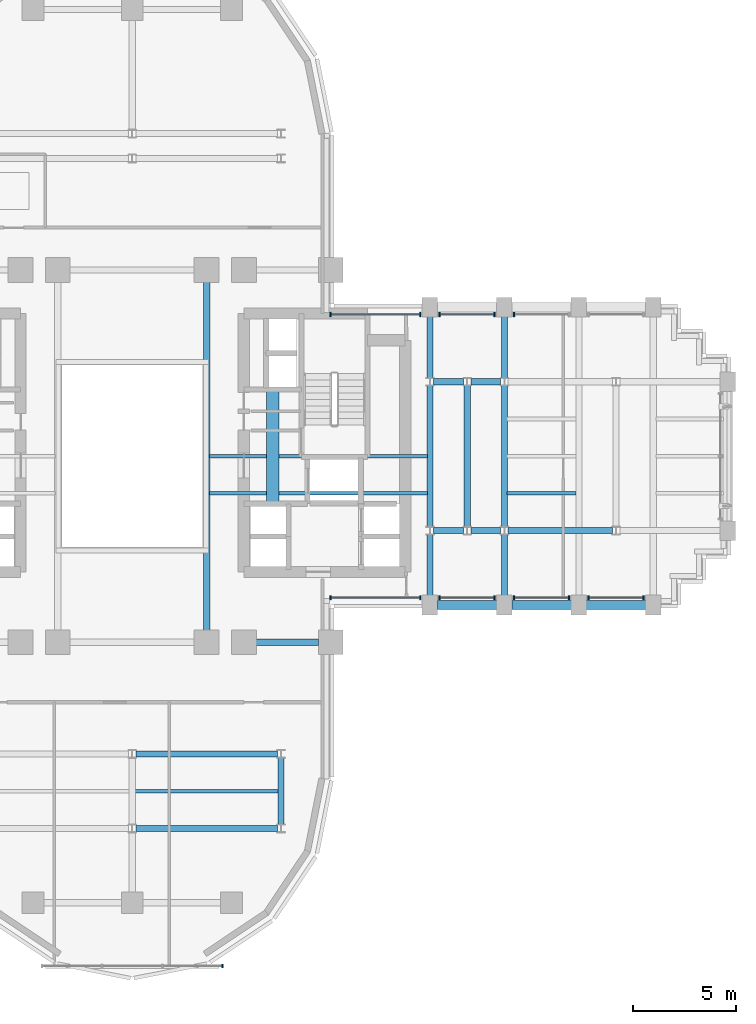
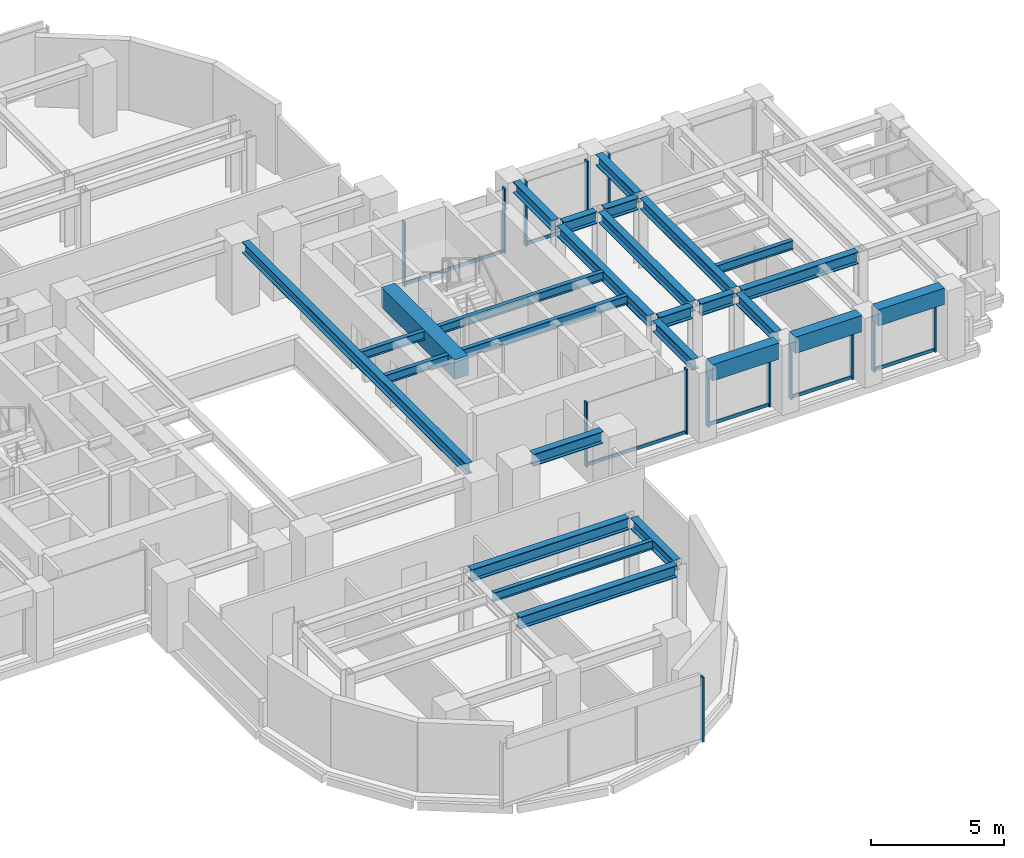
# One storey, part 5 of 16: 25 beams, 20 members, 8 elements without a shape of their own.
"""IFC4 building model written with IfcOpenShell, lengths in metres."""

from ifc_helpers import new_model, si_unit, direction, frame, origin, origin_2d, place, context, subcontext, project, spatial, rectangle, i_section, extrude, source, transform, mapped, material, material_profile, profile_set, type_object, element, aggregate, save


model = new_model("IFC4")

# Units and contexts
model_context = context("Model", 3, precision=1e-05, world=origin(), true_north=direction((0.0, 1.0)))
body_context = subcontext(model_context, "Body", "Model", "MODEL_VIEW")
ifc_project = project(units=[si_unit("LENGTHUNIT", "METRE"), si_unit("AREAUNIT", "SQUARE_METRE"), si_unit("VOLUMEUNIT", "CUBIC_METRE"), si_unit("PLANEANGLEUNIT", "RADIAN"), si_unit("MASSUNIT", "GRAM", prefix="KILO")], contexts=[model_context])

# Site, building, storey
site_placement = place(None, origin())
site = spatial("IfcSite", under=ifc_project, at=site_placement, CompositionType="ELEMENT")
building_placement = place(site_placement, origin())
building = spatial("IfcBuilding", under=site, at=building_placement, Name="Keilestroom Media Tower", CompositionType="ELEMENT")
storey_placement = place(building_placement, frame((0.0, 0.0, 51.0)))
storey = spatial("IfcBuildingStorey", under=building, at=storey_placement, Name="L12", CompositionType="ELEMENT", Elevation=51.0)

# Beams
ifc_material_1 = material(Name="Concrete C70/85", Category="concrete")
ifc_material_profile_1 = material_profile(ifc_material_1, rectangle(XDim=0.60009765625, YDim=0.89990234375, at=origin_2d()), Name="RC 600x900")
ifc_profile_set_1 = profile_set([ifc_material_profile_1], Name="Concrete C70/85")
beam_type_1 = type_object("IfcBeamType", Name="Core-Coupling-Lintel-Beam-RC-600x900", PredefinedType="LINTEL", material=ifc_profile_set_1)
shared_shape_1 = source(origin(), body_context, "Body", "SweptSolid", [
    extrude(rectangle(XDim=0.60009765625, YDim=0.89990234375, at=origin_2d()), origin(), (0.0, 0.0, 1.0), 5.52001953125),
])
beam_1_placement = place(storey_placement, frame((6.800048828125, -2.300048828125, 2.75), z_axis=(0.0, 1.0, 0.0), x_axis=(-1.0, 0.0, 0.0)))
element("IfcBeam", 1, at=beam_1_placement, inside=storey, type_object=beam_type_1, Name="L12 Beam CLB-1 CLB-L12-E", PredefinedType="LINTEL", context=body_context, shape_type="MappedRepresentation", body=[
    mapped(shared_shape_1, transform((0.0, 0.0, 0.0), x_axis=(1.0, 0.0, 0.0), y_axis=(0.0, 1.0, 0.0), z_axis=(0.0, 0.0, 1.0), scale=1.0)),
])
ifc_material_2 = material(Name="Steel S355", Category="steel")
ifc_material_profile_2 = material_profile(ifc_material_2, i_section(OverallWidth=0.300048828125, OverallDepth=0.550048828125, WebThickness=0.012939453125, FlangeThickness=0.029052734375, at=origin_2d()), Name="HEB 550")
ifc_profile_set_2 = profile_set([ifc_material_profile_2], Name="Steel S355")
beam_type_2 = type_object("IfcBeamType", Name="Primary-Structural-Girder-HEB-550", PredefinedType="BEAM", material=ifc_profile_set_2)
shared_shape_2 = source(origin(), body_context, "Body", "SweptSolid", [
    extrude(i_section(OverallWidth=0.300048828125, OverallDepth=0.550048828125, WebThickness=0.012939453125, FlangeThickness=0.029052734375, at=origin_2d()), origin(), (0.0, 0.0, 1.0), 6.836181640625),
])
for number, where, z_axis, x_axis, name in (
    (2, (0.181884765625, -18.0, 2.925048828125), (1.0, 0.0, 0.0), (0.0, 1.0, 0.0), "L12 Beam BG-5 BM-L12-EW-004"),
    (3, (0.181884765625, -14.39990234375, 2.925048828125), (1.0, 0.0, 0.0), (0.0, 1.0, 0.0), "L12 Beam BG-5 BM-L12-EW-006"),
):
    element("IfcBeam", number, at=place(storey_placement, frame(where, z_axis=z_axis, x_axis=x_axis)), inside=storey, type_object=beam_type_2, Name=name, PredefinedType="BEAM", context=body_context, shape_type="MappedRepresentation", body=[
        mapped(shared_shape_2, transform((0.0, 0.0, 0.0), x_axis=(1.0, 0.0, 0.0), y_axis=(0.0, 1.0, 0.0), z_axis=(0.0, 0.0, 1.0), scale=1.0)),
    ])
shared_shape_3 = source(origin(), body_context, "Body", "SweptSolid", [
    extrude(i_section(OverallWidth=0.300048828125, OverallDepth=0.550048828125, WebThickness=0.012939453125, FlangeThickness=0.029052734375, at=origin_2d()), origin(), (0.0, 0.0, 1.0), 3.0400390625),
])
beam_2_placement = place(storey_placement, frame((5.97998046875, -9.0, 2.925048828125), z_axis=(1.0, 0.0, 0.0), x_axis=(0.0, 1.0, 0.0)))
element("IfcBeam", 4, at=beam_2_placement, inside=storey, type_object=beam_type_2, Name="L12 Beam BG-5 BM-L12-EW-011", PredefinedType="BEAM", context=body_context, shape_type="MappedRepresentation", body=[
    mapped(shared_shape_3, transform((0.0, 0.0, 0.0), x_axis=(1.0, 0.0, 0.0), y_axis=(0.0, 1.0, 0.0), z_axis=(0.0, 0.0, 1.0), scale=1.0)),
])
ifc_material_3 = material(Name="Precast concrete C40/50", Category="concrete")
ifc_material_profile_3 = material_profile(ifc_material_3, rectangle(XDim=0.449951171875, YDim=0.75, at=origin_2d()), Name="PC 450x750")
ifc_profile_set_3 = profile_set([ifc_material_profile_3], Name="Precast concrete C40/50")
beam_type_3 = type_object("IfcBeamType", Name="Perimeter-Spandrel-Beam-PC-450x750", PredefinedType="SPANDREL", material=ifc_profile_set_3)
shared_shape_4 = source(origin(), body_context, "Body", "SweptSolid", [
    extrude(rectangle(XDim=0.449951171875, YDim=0.75, at=origin_2d()), origin(), (0.0, 0.0, 1.0), 2.889892578125),
])
beam_3_placement = place(storey_placement, frame((21.955078125, -7.199951171875, 2.824951171875), z_axis=(1.0, 0.0, 0.0), x_axis=(0.0, 1.0, 0.0)))
element("IfcBeam", 5, at=beam_3_placement, inside=storey, type_object=beam_type_3, Name="L12 Beam SPB-1 BM-L12-EW-017", PredefinedType="SPANDREL", context=body_context, shape_type="MappedRepresentation", body=[
    mapped(shared_shape_4, transform((0.0, 0.0, 0.0), x_axis=(1.0, 0.0, 0.0), y_axis=(0.0, 1.0, 0.0), z_axis=(0.0, 0.0, 1.0), scale=1.0)),
])
shared_shape_5 = source(origin(), body_context, "Body", "SweptSolid", [
    extrude(rectangle(XDim=0.449951171875, YDim=0.75, at=origin_2d()), origin(), (0.0, 0.0, 1.0), 2.89013671875),
])
for number, where, z_axis, x_axis, name in (
    (6, (14.7548828125, -7.199951171875, 2.824951171875), (1.0, 0.0, 0.0), (0.0, 1.0, 0.0), "L12 Beam SPB-1 BM-L12-EW-015"),
    (7, (18.35498046875, -7.199951171875, 2.824951171875), (1.0, 0.0, 0.0), (0.0, 1.0, 0.0), "L12 Beam SPB-1 BM-L12-EW-016"),
):
    element("IfcBeam", number, at=place(storey_placement, frame(where, z_axis=z_axis, x_axis=x_axis)), inside=storey, type_object=beam_type_3, Name=name, PredefinedType="SPANDREL", context=body_context, shape_type="MappedRepresentation", body=[
        mapped(shared_shape_5, transform((0.0, 0.0, 0.0), x_axis=(1.0, 0.0, 0.0), y_axis=(0.0, 1.0, 0.0), z_axis=(0.0, 0.0, 1.0), scale=1.0)),
    ])
shared_shape_6 = source(origin(), body_context, "Body", "SweptSolid", [
    extrude(i_section(OverallWidth=0.300048828125, OverallDepth=0.550048828125, WebThickness=0.012939453125, FlangeThickness=0.029052734375, at=origin_2d()), origin(), (0.0, 0.0, 1.0), 5.0361328125),
])
beam_4_placement = place(storey_placement, frame((18.181884765625, -3.60009765625, 2.925048828125), z_axis=(1.0, 0.0, 0.0), x_axis=(0.0, 1.0, 0.0)))
element("IfcBeam", 8, at=beam_4_placement, inside=storey, type_object=beam_type_2, Name="L12 Beam BG-5 BM-L12-EW-024", PredefinedType="BEAM", context=body_context, shape_type="MappedRepresentation", body=[
    mapped(shared_shape_6, transform((0.0, 0.0, 0.0), x_axis=(1.0, 0.0, 0.0), y_axis=(0.0, 1.0, 0.0), z_axis=(0.0, 0.0, 1.0), scale=1.0)),
])
shared_shape_7 = source(origin(), body_context, "Body", "SweptSolid", [
    extrude(i_section(OverallWidth=0.300048828125, OverallDepth=0.550048828125, WebThickness=0.012939453125, FlangeThickness=0.029052734375, at=origin_2d()), origin(), (0.0, 0.0, 1.0), 1.43603515625),
])
for number, where, z_axis, x_axis, name in (
    (9, (14.58203125, -3.60009765625, 2.925048828125), (1.0, 0.0, 0.0), (0.0, 1.0, 0.0), "L12 Beam BG-5 BM-L12-EW-022"),
    (10, (16.382080078125, -3.60009765625, 2.925048828125), (1.0, 0.0, 0.0), (0.0, 1.0, 0.0), "L12 Beam BG-5 BM-L12-EW-023"),
    (11, (14.58203125, 3.60009765625, 2.925048828125), (1.0, 0.0, 0.0), (0.0, 1.0, 0.0), "L12 Beam BG-5 BM-L12-EW-030"),
    (12, (16.382080078125, 3.60009765625, 2.925048828125), (1.0, 0.0, 0.0), (0.0, 1.0, 0.0), "L12 Beam BG-5 BM-L12-EW-031"),
):
    element("IfcBeam", number, at=place(storey_placement, frame(where, z_axis=z_axis, x_axis=x_axis)), inside=storey, type_object=beam_type_2, Name=name, PredefinedType="BEAM", context=body_context, shape_type="MappedRepresentation", body=[
        mapped(shared_shape_7, transform((0.0, 0.0, 0.0), x_axis=(1.0, 0.0, 0.0), y_axis=(0.0, 1.0, 0.0), z_axis=(0.0, 0.0, 1.0), scale=1.0)),
    ])
ifc_material_profile_4 = material_profile(ifc_material_2, i_section(OverallWidth=0.300048828125, OverallDepth=0.5, WebThickness=0.012451171875, FlangeThickness=0.028076171875, at=origin_2d()), Name="HEB 500")
ifc_profile_set_4 = profile_set([ifc_material_profile_4], Name="Steel S355")
beam_type_4 = type_object("IfcBeamType", Name="Primary-Structural-Girder-HEB-500", PredefinedType="BEAM", material=ifc_profile_set_4)
shared_shape_8 = source(origin(), body_context, "Body", "SweptSolid", [
    extrude(i_section(OverallWidth=0.300048828125, OverallDepth=0.5, WebThickness=0.012451171875, FlangeThickness=0.028076171875, at=origin_2d()), origin(), (0.0, 0.0, 1.0), 6.8330078125),
])
for number, where, z_axis, x_axis, name in (
    (13, (14.39990234375, -3.41650390625, 2.949951171875), (0.0, 1.0, 0.0), (-1.0, 0.0, 0.0), "L12 Beam BG-6 BM-L12-NS-077"),
    (14, (16.199951171875, -3.41650390625, 2.949951171875), (0.0, 1.0, 0.0), (-1.0, 0.0, 0.0), "L12 Beam BG-6 BM-L12-NS-079"),
    (15, (18.0, -3.41650390625, 2.949951171875), (0.0, 1.0, 0.0), (-1.0, 0.0, 0.0), "L12 Beam BG-6 BM-L12-NS-081"),
):
    element("IfcBeam", number, at=place(storey_placement, frame(where, z_axis=z_axis, x_axis=x_axis)), inside=storey, type_object=beam_type_4, Name=name, PredefinedType="BEAM", context=body_context, shape_type="MappedRepresentation", body=[
        mapped(shared_shape_8, transform((0.0, 0.0, 0.0), x_axis=(1.0, 0.0, 0.0), y_axis=(0.0, 1.0, 0.0), z_axis=(0.0, 0.0, 1.0), scale=1.0)),
    ])
shared_shape_9 = source(origin(), body_context, "Body", "SweptSolid", [
    extrude(i_section(OverallWidth=0.300048828125, OverallDepth=0.5, WebThickness=0.012451171875, FlangeThickness=0.028076171875, at=origin_2d()), origin(), (0.0, 0.0, 1.0), 2.961669921875),
])
for number, where, z_axis, x_axis, name in (
    (16, (14.39990234375, -6.7451171875, 2.949951171875), (0.0, 1.0, 0.0), (-1.0, 0.0, 0.0), "L12 Beam BG-6 BM-L12-NS-076"),
    (17, (14.39990234375, 3.783447265625, 2.949951171875), (0.0, 1.0, 0.0), (-1.0, 0.0, 0.0), "L12 Beam BG-6 BM-L12-NS-078"),
    (18, (18.0, -6.7451171875, 2.949951171875), (0.0, 1.0, 0.0), (-1.0, 0.0, 0.0), "L12 Beam BG-6 BM-L12-NS-080"),
    (19, (18.0, 3.783447265625, 2.949951171875), (0.0, 1.0, 0.0), (-1.0, 0.0, 0.0), "L12 Beam BG-6 BM-L12-NS-082"),
):
    element("IfcBeam", number, at=place(storey_placement, frame(where, z_axis=z_axis, x_axis=x_axis)), inside=storey, type_object=beam_type_4, Name=name, PredefinedType="BEAM", context=body_context, shape_type="MappedRepresentation", body=[
        mapped(shared_shape_9, transform((0.0, 0.0, 0.0), x_axis=(1.0, 0.0, 0.0), y_axis=(0.0, 1.0, 0.0), z_axis=(0.0, 0.0, 1.0), scale=1.0)),
    ])
shared_shape_10 = source(origin(), body_context, "Body", "SweptSolid", [
    extrude(i_section(OverallWidth=0.300048828125, OverallDepth=0.5, WebThickness=0.012451171875, FlangeThickness=0.028076171875, at=origin_2d()), origin(), (0.0, 0.0, 1.0), 3.23291015625),
])
beam_5_placement = place(storey_placement, frame((7.199951171875, -17.81640625, 2.949951171875), z_axis=(0.0, 1.0, 0.0), x_axis=(-1.0, 0.0, 0.0)))
element("IfcBeam", 20, at=beam_5_placement, inside=storey, type_object=beam_type_4, Name="L12 Beam BG-6 BM-L12-NS-073", PredefinedType="BEAM", context=body_context, shape_type="MappedRepresentation", body=[
    mapped(shared_shape_10, transform((0.0, 0.0, 0.0), x_axis=(1.0, 0.0, 0.0), y_axis=(0.0, 1.0, 0.0), z_axis=(0.0, 0.0, 1.0), scale=1.0)),
])
shared_shape_11 = source(origin(), body_context, "Body", "SweptSolid", [
    extrude(i_section(OverallWidth=0.300048828125, OverallDepth=0.5, WebThickness=0.012451171875, FlangeThickness=0.028076171875, at=origin_2d()), origin(), (0.0, 0.0, 1.0), 16.83984375),
])
beam_6_placement = place(storey_placement, frame((3.60009765625, -8.419921875, 2.949951171875), z_axis=(0.0, 1.0, 0.0), x_axis=(-1.0, 0.0, 0.0)))
element("IfcBeam", 21, at=beam_6_placement, inside=storey, type_object=beam_type_4, Name="L12 Beam BG-6 BM-L12-NS-071", PredefinedType="BEAM", context=body_context, shape_type="MappedRepresentation", body=[
    mapped(shared_shape_11, transform((0.0, 0.0, 0.0), x_axis=(1.0, 0.0, 0.0), y_axis=(0.0, 1.0, 0.0), z_axis=(0.0, 0.0, 1.0), scale=1.0)),
])
ifc_material_profile_5 = material_profile(ifc_material_2, i_section(OverallWidth=0.179931640625, OverallDepth=0.39990234375, WebThickness=0.008544921875, FlangeThickness=0.013427734375, at=origin_2d()), Name="IPE 400")
ifc_profile_set_5 = profile_set([ifc_material_profile_5], Name="Steel S355")
beam_type_5 = type_object("IfcBeamType", Name="Secondary-Floor-Joist-IPE-400", PredefinedType="JOIST", material=ifc_profile_set_5)
shared_shape_12 = source(origin(), body_context, "Body", "SweptSolid", [
    extrude(i_section(OverallWidth=0.179931640625, OverallDepth=0.39990234375, WebThickness=0.008544921875, FlangeThickness=0.013427734375, at=origin_2d()), origin(), (0.0, 0.0, 1.0), 6.940185546875),
])
beam_7_placement = place(storey_placement, frame((0.1298828125, -16.199951171875, 3.0), z_axis=(1.0, 0.0, 0.0), x_axis=(0.0, 1.0, 0.0)))
element("IfcBeam", 22, at=beam_7_placement, inside=storey, type_object=beam_type_5, Name="L12 Beam BJ-4 JST-L12-088", PredefinedType="JOIST", context=body_context, shape_type="MappedRepresentation", body=[
    mapped(shared_shape_12, transform((0.0, 0.0, 0.0), x_axis=(1.0, 0.0, 0.0), y_axis=(0.0, 1.0, 0.0), z_axis=(0.0, 0.0, 1.0), scale=1.0)),
])
shared_shape_13 = source(origin(), body_context, "Body", "SweptSolid", [
    extrude(i_section(OverallWidth=0.179931640625, OverallDepth=0.39990234375, WebThickness=0.008544921875, FlangeThickness=0.013427734375, at=origin_2d()), origin(), (0.0, 0.0, 1.0), 3.340087890625),
])
beam_8_placement = place(storey_placement, frame((18.1298828125, -1.800048828125, 3.0), z_axis=(1.0, 0.0, 0.0), x_axis=(0.0, 1.0, 0.0)))
element("IfcBeam", 23, at=beam_8_placement, inside=storey, type_object=beam_type_5, Name="L12 Beam BJ-4 JST-L12-094", PredefinedType="JOIST", context=body_context, shape_type="MappedRepresentation", body=[
    mapped(shared_shape_13, transform((0.0, 0.0, 0.0), x_axis=(1.0, 0.0, 0.0), y_axis=(0.0, 1.0, 0.0), z_axis=(0.0, 0.0, 1.0), scale=1.0)),
])
shared_shape_14 = source(origin(), body_context, "Body", "SweptSolid", [
    extrude(i_section(OverallWidth=0.179931640625, OverallDepth=0.39990234375, WebThickness=0.008544921875, FlangeThickness=0.013427734375, at=origin_2d()), origin(), (0.0, 0.0, 1.0), 10.5400390625),
])
for number, where, z_axis, x_axis, name in (
    (24, (3.72998046875, -1.800048828125, 3.0), (1.0, 0.0, 0.0), (0.0, 1.0, 0.0), "L12 Beam BJ-4 JST-L12-093"),
    (25, (3.72998046875, 0.0, 3.0), (1.0, 0.0, 0.0), (0.0, 1.0, 0.0), "L12 Beam BJ-4 JST-L12-100"),
):
    element("IfcBeam", number, at=place(storey_placement, frame(where, z_axis=z_axis, x_axis=x_axis)), inside=storey, type_object=beam_type_5, Name=name, PredefinedType="JOIST", context=body_context, shape_type="MappedRepresentation", body=[
        mapped(shared_shape_14, transform((0.0, 0.0, 0.0), x_axis=(1.0, 0.0, 0.0), y_axis=(0.0, 1.0, 0.0), z_axis=(0.0, 0.0, 1.0), scale=1.0)),
    ])

# Curtain wall, members
ifc_material_4 = material(Name="Anodised Aluminium Alloy", Category="aluminium")
curtain_wall_type_1 = type_object("IfcCurtainWallType", Name="Unitised-Curtain-Wall-CW-1", PredefinedType="NOTDEFINED", material=ifc_material_4)
curtain_wall_1_placement = place(storey_placement, origin())
curtain_wall_1 = element("IfcCurtainWall", 26, at=curtain_wall_1_placement, inside=storey, type_object=curtain_wall_type_1, Name="L12 Curtain Wall CW-1 CW-L12-NE-1", PredefinedType="NOTDEFINED")
ifc_material_profile_6 = material_profile(ifc_material_4, rectangle(XDim=0.070068359375, YDim=0.199951171875, at=origin_2d()), Name="ALU MULLION 70x200")
ifc_profile_set_6 = profile_set([ifc_material_profile_6], Name="Anodised Aluminium Alloy")
member_type_1 = type_object("IfcMemberType", Name="Curtain-Wall-Mullion-CW-1", PredefinedType="MULLION", material=ifc_profile_set_6)
shared_shape_15 = source(origin(), body_context, "Body", "SweptSolid", [
    extrude(rectangle(XDim=0.070068359375, YDim=0.199951171875, at=origin_2d()), origin(), (0.0, 0.0, 1.0), 2.97998046875),
])
member_1_placement = place(storey_placement, frame((9.5849609375, 6.85009765625, 0.0), z_axis=(0.0, 0.0, 1.0), x_axis=(1.0, 0.0, 0.0)))
member_1 = element("IfcMember", 27, at=member_1_placement, type_object=member_type_1, Name="CW-1 Mullion 00", PredefinedType="MULLION", context=body_context, shape_type="MappedRepresentation", body=[
    mapped(shared_shape_15, transform((0.0, 0.0, 0.0), x_axis=(1.0, 0.0, 0.0), y_axis=(0.0, 1.0, 0.0), z_axis=(0.0, 0.0, 1.0), scale=1.0)),
])
member_2_placement = place(storey_placement, frame((13.929931640625, 6.85009765625, 0.0), z_axis=(0.0, 0.0, 1.0), x_axis=(1.0, 0.0, 0.0)))
member_2 = element("IfcMember", 28, at=member_2_placement, type_object=member_type_1, Name="CW-1 Mullion 01", PredefinedType="MULLION", context=body_context, shape_type="MappedRepresentation", body=[
    mapped(shared_shape_15, transform((0.0, 0.0, 0.0), x_axis=(1.0, 0.0, 0.0), y_axis=(0.0, 1.0, 0.0), z_axis=(0.0, 0.0, 1.0), scale=1.0)),
])

curtain_wall_2_placement = place(storey_placement, origin())
curtain_wall_2 = element("IfcCurtainWall", 29, at=curtain_wall_2_placement, inside=storey, type_object=curtain_wall_type_1, Name="L12 Curtain Wall CW-1 CW-L12-NE-2", PredefinedType="NOTDEFINED")
member_3_placement = place(storey_placement, frame((14.8701171875, 6.85009765625, 0.0), z_axis=(0.0, 0.0, 1.0), x_axis=(1.0, 0.0, 0.0)))
member_3 = element("IfcMember", 30, at=member_3_placement, type_object=member_type_1, Name="CW-1 Mullion 00", PredefinedType="MULLION", context=body_context, shape_type="MappedRepresentation", body=[
    mapped(shared_shape_15, transform((0.0, 0.0, 0.0), x_axis=(1.0, 0.0, 0.0), y_axis=(0.0, 1.0, 0.0), z_axis=(0.0, 0.0, 1.0), scale=1.0)),
])
member_4_placement = place(storey_placement, frame((17.530029296875, 6.85009765625, 0.0), z_axis=(0.0, 0.0, 1.0), x_axis=(1.0, 0.0, 0.0)))
member_4 = element("IfcMember", 31, at=member_4_placement, type_object=member_type_1, Name="CW-1 Mullion 01", PredefinedType="MULLION", context=body_context, shape_type="MappedRepresentation", body=[
    mapped(shared_shape_15, transform((0.0, 0.0, 0.0), x_axis=(1.0, 0.0, 0.0), y_axis=(0.0, 1.0, 0.0), z_axis=(0.0, 0.0, 1.0), scale=1.0)),
])

# Curtain wall, member
curtain_wall_3_placement = place(storey_placement, origin())
curtain_wall_3 = element("IfcCurtainWall", 32, at=curtain_wall_3_placement, inside=storey, type_object=curtain_wall_type_1, Name="L12 Curtain Wall CW-1 CW-L12-NE-3", PredefinedType="NOTDEFINED")
member_5_placement = place(storey_placement, frame((18.469970703125, 6.85009765625, 0.0), z_axis=(0.0, 0.0, 1.0), x_axis=(1.0, 0.0, 0.0)))
member_5 = element("IfcMember", 33, at=member_5_placement, type_object=member_type_1, Name="CW-1 Mullion 00", PredefinedType="MULLION", context=body_context, shape_type="MappedRepresentation", body=[
    mapped(shared_shape_15, transform((0.0, 0.0, 0.0), x_axis=(1.0, 0.0, 0.0), y_axis=(0.0, 1.0, 0.0), z_axis=(0.0, 0.0, 1.0), scale=1.0)),
])
aggregate(curtain_wall_3, [member_5])

# Curtain wall, members
curtain_wall_4_placement = place(storey_placement, origin())
curtain_wall_4 = element("IfcCurtainWall", 34, at=curtain_wall_4_placement, inside=storey, type_object=curtain_wall_type_1, Name="L12 Curtain Wall CW-1 CW-L12-SE-1", PredefinedType="NOTDEFINED")
member_6_placement = place(storey_placement, frame((9.5849609375, -6.85009765625, 0.0), z_axis=(0.0, 0.0, 1.0), x_axis=(1.0, 0.0, 0.0)))
member_6 = element("IfcMember", 35, at=member_6_placement, type_object=member_type_1, Name="CW-1 Mullion 00", PredefinedType="MULLION", context=body_context, shape_type="MappedRepresentation", body=[
    mapped(shared_shape_15, transform((0.0, 0.0, 0.0), x_axis=(1.0, 0.0, 0.0), y_axis=(0.0, 1.0, 0.0), z_axis=(0.0, 0.0, 1.0), scale=1.0)),
])
member_7_placement = place(storey_placement, frame((13.929931640625, -6.85009765625, 0.0), z_axis=(0.0, 0.0, 1.0), x_axis=(1.0, 0.0, 0.0)))
member_7 = element("IfcMember", 36, at=member_7_placement, type_object=member_type_1, Name="CW-1 Mullion 01", PredefinedType="MULLION", context=body_context, shape_type="MappedRepresentation", body=[
    mapped(shared_shape_15, transform((0.0, 0.0, 0.0), x_axis=(1.0, 0.0, 0.0), y_axis=(0.0, 1.0, 0.0), z_axis=(0.0, 0.0, 1.0), scale=1.0)),
])

curtain_wall_5_placement = place(storey_placement, origin())
curtain_wall_5 = element("IfcCurtainWall", 37, at=curtain_wall_5_placement, inside=storey, type_object=curtain_wall_type_1, Name="L12 Curtain Wall CW-1 CW-L12-SE-2", PredefinedType="NOTDEFINED")
member_8_placement = place(storey_placement, frame((14.8701171875, -6.85009765625, 0.0), z_axis=(0.0, 0.0, 1.0), x_axis=(1.0, 0.0, 0.0)))
member_8 = element("IfcMember", 38, at=member_8_placement, type_object=member_type_1, Name="CW-1 Mullion 00", PredefinedType="MULLION", context=body_context, shape_type="MappedRepresentation", body=[
    mapped(shared_shape_15, transform((0.0, 0.0, 0.0), x_axis=(1.0, 0.0, 0.0), y_axis=(0.0, 1.0, 0.0), z_axis=(0.0, 0.0, 1.0), scale=1.0)),
])
member_9_placement = place(storey_placement, frame((17.530029296875, -6.85009765625, 0.0), z_axis=(0.0, 0.0, 1.0), x_axis=(1.0, 0.0, 0.0)))
member_9 = element("IfcMember", 39, at=member_9_placement, type_object=member_type_1, Name="CW-1 Mullion 01", PredefinedType="MULLION", context=body_context, shape_type="MappedRepresentation", body=[
    mapped(shared_shape_15, transform((0.0, 0.0, 0.0), x_axis=(1.0, 0.0, 0.0), y_axis=(0.0, 1.0, 0.0), z_axis=(0.0, 0.0, 1.0), scale=1.0)),
])

curtain_wall_6_placement = place(storey_placement, origin())
curtain_wall_6 = element("IfcCurtainWall", 40, at=curtain_wall_6_placement, inside=storey, type_object=curtain_wall_type_1, Name="L12 Curtain Wall CW-1 CW-L12-SE-3", PredefinedType="NOTDEFINED")
member_10_placement = place(storey_placement, frame((18.469970703125, -6.85009765625, 0.0), z_axis=(0.0, 0.0, 1.0), x_axis=(1.0, 0.0, 0.0)))
member_10 = element("IfcMember", 41, at=member_10_placement, type_object=member_type_1, Name="CW-1 Mullion 00", PredefinedType="MULLION", context=body_context, shape_type="MappedRepresentation", body=[
    mapped(shared_shape_15, transform((0.0, 0.0, 0.0), x_axis=(1.0, 0.0, 0.0), y_axis=(0.0, 1.0, 0.0), z_axis=(0.0, 0.0, 1.0), scale=1.0)),
])
member_11_placement = place(storey_placement, frame((21.1298828125, -6.85009765625, 0.0), z_axis=(0.0, 0.0, 1.0), x_axis=(1.0, 0.0, 0.0)))
member_11 = element("IfcMember", 42, at=member_11_placement, type_object=member_type_1, Name="CW-1 Mullion 01", PredefinedType="MULLION", context=body_context, shape_type="MappedRepresentation", body=[
    mapped(shared_shape_15, transform((0.0, 0.0, 0.0), x_axis=(1.0, 0.0, 0.0), y_axis=(0.0, 1.0, 0.0), z_axis=(0.0, 0.0, 1.0), scale=1.0)),
])

curtain_wall_7_placement = place(storey_placement, origin())
curtain_wall_7 = element("IfcCurtainWall", 43, at=curtain_wall_7_placement, inside=storey, type_object=curtain_wall_type_1, Name="L12 Curtain Wall CW-1 CW-L12-SE-4", PredefinedType="NOTDEFINED")
member_12_placement = place(storey_placement, frame((22.070068359375, -6.85009765625, 0.0), z_axis=(0.0, 0.0, 1.0), x_axis=(1.0, 0.0, 0.0)))
member_12 = element("IfcMember", 44, at=member_12_placement, type_object=member_type_1, Name="CW-1 Mullion 00", PredefinedType="MULLION", context=body_context, shape_type="MappedRepresentation", body=[
    mapped(shared_shape_15, transform((0.0, 0.0, 0.0), x_axis=(1.0, 0.0, 0.0), y_axis=(0.0, 1.0, 0.0), z_axis=(0.0, 0.0, 1.0), scale=1.0)),
])
member_13_placement = place(storey_placement, frame((24.72998046875, -6.85009765625, 0.0), z_axis=(0.0, 0.0, 1.0), x_axis=(1.0, 0.0, 0.0)))
member_13 = element("IfcMember", 45, at=member_13_placement, type_object=member_type_1, Name="CW-1 Mullion 01", PredefinedType="MULLION", context=body_context, shape_type="MappedRepresentation", body=[
    mapped(shared_shape_15, transform((0.0, 0.0, 0.0), x_axis=(1.0, 0.0, 0.0), y_axis=(0.0, 1.0, 0.0), z_axis=(0.0, 0.0, 1.0), scale=1.0)),
])

# Member
ifc_material_profile_7 = material_profile(ifc_material_4, rectangle(XDim=0.06494140625, YDim=0.14990234375, at=origin_2d()), Name="ALU TRANSOM 65x150")
ifc_profile_set_7 = profile_set([ifc_material_profile_7], Name="Anodised Aluminium Alloy")
member_type_2 = type_object("IfcMemberType", Name="Curtain-Wall-Transom-CW-1", PredefinedType="USERDEFINED", material=ifc_profile_set_7)
shared_shape_16 = source(origin(), body_context, "Body", "SweptSolid", [
    extrude(rectangle(XDim=0.06494140625, YDim=0.14990234375, at=origin_2d()), origin(), (0.0, 0.0, 1.0), 2.593994140625),
])
member_14_placement = place(storey_placement, frame((14.903076171875, 6.85009765625, 0.074951171875), z_axis=(1.0, 0.0, 0.0), x_axis=(0.0, 1.0, 0.0)))
member_14 = element("IfcMember", 46, at=member_14_placement, type_object=member_type_2, Name="CW-1 Transom 00.1", ObjectType="TRANSOM", PredefinedType="USERDEFINED", context=body_context, shape_type="MappedRepresentation", body=[
    mapped(shared_shape_16, transform((0.0, 0.0, 0.0), x_axis=(1.0, 0.0, 0.0), y_axis=(0.0, 1.0, 0.0), z_axis=(0.0, 0.0, 1.0), scale=1.0)),
])

aggregate(curtain_wall_2, [member_3, member_4, member_14])

member_15_placement = place(storey_placement, frame((14.903076171875, -6.85009765625, 0.074951171875), z_axis=(1.0, 0.0, 0.0), x_axis=(0.0, 1.0, 0.0)))
member_15 = element("IfcMember", 47, at=member_15_placement, type_object=member_type_2, Name="CW-1 Transom 00.1", ObjectType="TRANSOM", PredefinedType="USERDEFINED", context=body_context, shape_type="MappedRepresentation", body=[
    mapped(shared_shape_16, transform((0.0, 0.0, 0.0), x_axis=(1.0, 0.0, 0.0), y_axis=(0.0, 1.0, 0.0), z_axis=(0.0, 0.0, 1.0), scale=1.0)),
])

aggregate(curtain_wall_5, [member_8, member_9, member_15])

member_16_placement = place(storey_placement, frame((18.5029296875, -6.85009765625, 0.074951171875), z_axis=(1.0, 0.0, 0.0), x_axis=(0.0, 1.0, 0.0)))
member_16 = element("IfcMember", 48, at=member_16_placement, type_object=member_type_2, Name="CW-1 Transom 00.1", ObjectType="TRANSOM", PredefinedType="USERDEFINED", context=body_context, shape_type="MappedRepresentation", body=[
    mapped(shared_shape_16, transform((0.0, 0.0, 0.0), x_axis=(1.0, 0.0, 0.0), y_axis=(0.0, 1.0, 0.0), z_axis=(0.0, 0.0, 1.0), scale=1.0)),
])

aggregate(curtain_wall_6, [member_10, member_11, member_16])

member_17_placement = place(storey_placement, frame((22.10302734375, -6.85009765625, 0.074951171875), z_axis=(1.0, 0.0, 0.0), x_axis=(0.0, 1.0, 0.0)))
member_17 = element("IfcMember", 49, at=member_17_placement, type_object=member_type_2, Name="CW-1 Transom 00.1", ObjectType="TRANSOM", PredefinedType="USERDEFINED", context=body_context, shape_type="MappedRepresentation", body=[
    mapped(shared_shape_16, transform((0.0, 0.0, 0.0), x_axis=(1.0, 0.0, 0.0), y_axis=(0.0, 1.0, 0.0), z_axis=(0.0, 0.0, 1.0), scale=1.0)),
])

aggregate(curtain_wall_7, [member_12, member_13, member_17])

shared_shape_17 = source(origin(), body_context, "Body", "SweptSolid", [
    extrude(rectangle(XDim=0.06494140625, YDim=0.14990234375, at=origin_2d()), origin(), (0.0, 0.0, 1.0), 4.279052734375),
])
member_18_placement = place(storey_placement, frame((9.617919921875, 6.85009765625, 0.074951171875), z_axis=(1.0, 0.0, 0.0), x_axis=(0.0, 1.0, 0.0)))
member_18 = element("IfcMember", 50, at=member_18_placement, type_object=member_type_2, Name="CW-1 Transom 00.1", ObjectType="TRANSOM", PredefinedType="USERDEFINED", context=body_context, shape_type="MappedRepresentation", body=[
    mapped(shared_shape_17, transform((0.0, 0.0, 0.0), x_axis=(1.0, 0.0, 0.0), y_axis=(0.0, 1.0, 0.0), z_axis=(0.0, 0.0, 1.0), scale=1.0)),
])

aggregate(curtain_wall_1, [member_1, member_2, member_18])

member_19_placement = place(storey_placement, frame((9.617919921875, -6.85009765625, 0.074951171875), z_axis=(1.0, 0.0, 0.0), x_axis=(0.0, 1.0, 0.0)))
member_19 = element("IfcMember", 51, at=member_19_placement, type_object=member_type_2, Name="CW-1 Transom 00.1", ObjectType="TRANSOM", PredefinedType="USERDEFINED", context=body_context, shape_type="MappedRepresentation", body=[
    mapped(shared_shape_17, transform((0.0, 0.0, 0.0), x_axis=(1.0, 0.0, 0.0), y_axis=(0.0, 1.0, 0.0), z_axis=(0.0, 0.0, 1.0), scale=1.0)),
])

aggregate(curtain_wall_4, [member_6, member_7, member_19])

# Curtain wall, member
curtain_wall_type_2 = type_object("IfcCurtainWallType", Name="Unitised-Curtain-Wall-CW-6", PredefinedType="NOTDEFINED", material=ifc_material_4)
curtain_wall_8_placement = place(storey_placement, origin())
curtain_wall_8 = element("IfcCurtainWall", 52, at=curtain_wall_8_placement, inside=storey, type_object=curtain_wall_type_2, Name="L12 Curtain Wall CW-6 CW-L12-LS-1", PredefinedType="NOTDEFINED")
ifc_material_profile_8 = material_profile(ifc_material_4, rectangle(XDim=0.06494140625, YDim=0.179931640625, at=origin_2d()), Name="ALU MULLION 65x180")
ifc_profile_set_8 = profile_set([ifc_material_profile_8], Name="Anodised Aluminium Alloy")
member_type_3 = type_object("IfcMemberType", Name="Curtain-Wall-Mullion-CW-6", PredefinedType="MULLION", material=ifc_profile_set_8)
shared_shape_18 = source(origin(), body_context, "Body", "SweptSolid", [
    extrude(rectangle(XDim=0.06494140625, YDim=0.179931640625, at=origin_2d()), origin(), (0.0, 0.0, 1.0), 2.97998046875),
])
member_20_placement = place(storey_placement, frame((4.367431640625, -24.64990234375, 0.0), z_axis=(0.0, 0.0, 1.0), x_axis=(1.0, 0.0, 0.0)))
member_20 = element("IfcMember", 53, at=member_20_placement, type_object=member_type_3, Name="CW-6 Mullion 03", PredefinedType="MULLION", context=body_context, shape_type="MappedRepresentation", body=[
    mapped(shared_shape_18, transform((0.0, 0.0, 0.0), x_axis=(1.0, 0.0, 0.0), y_axis=(0.0, 1.0, 0.0), z_axis=(0.0, 0.0, 1.0), scale=1.0)),
])
aggregate(curtain_wall_8, [member_20])

save(model, "model.ifc")
